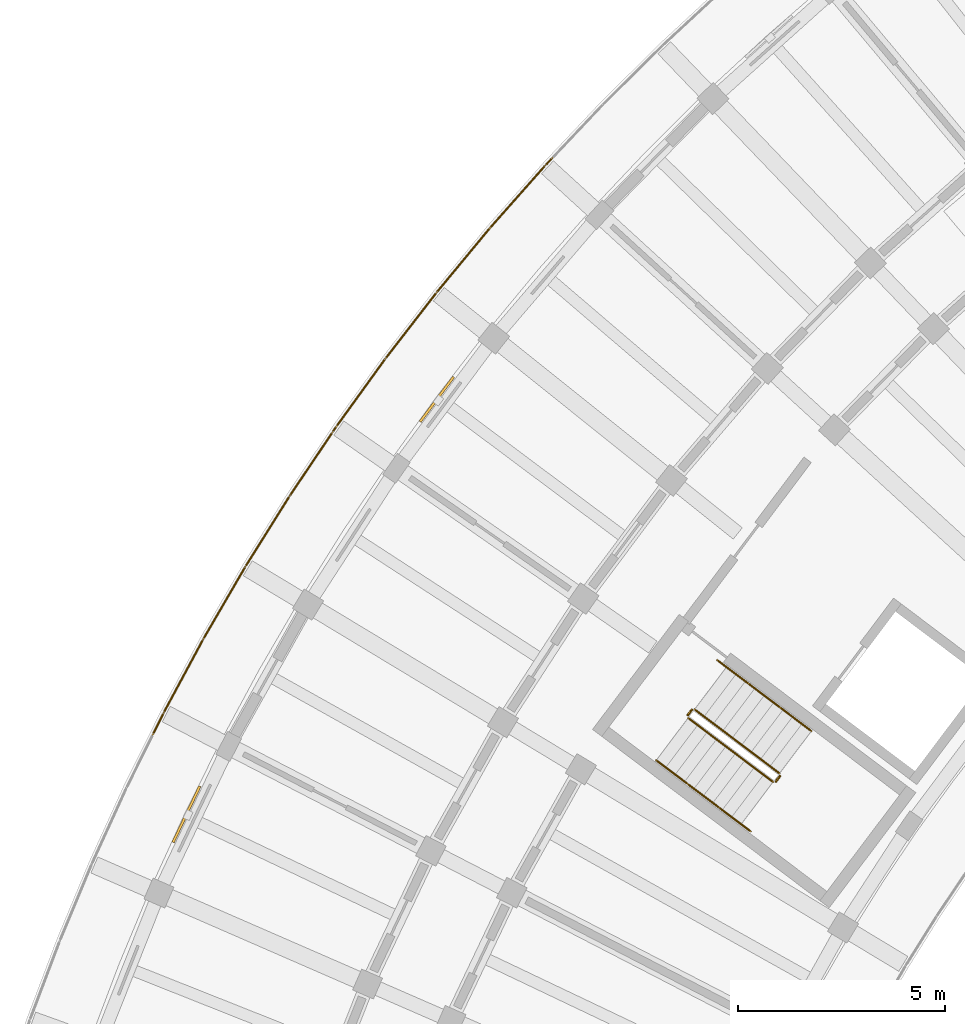
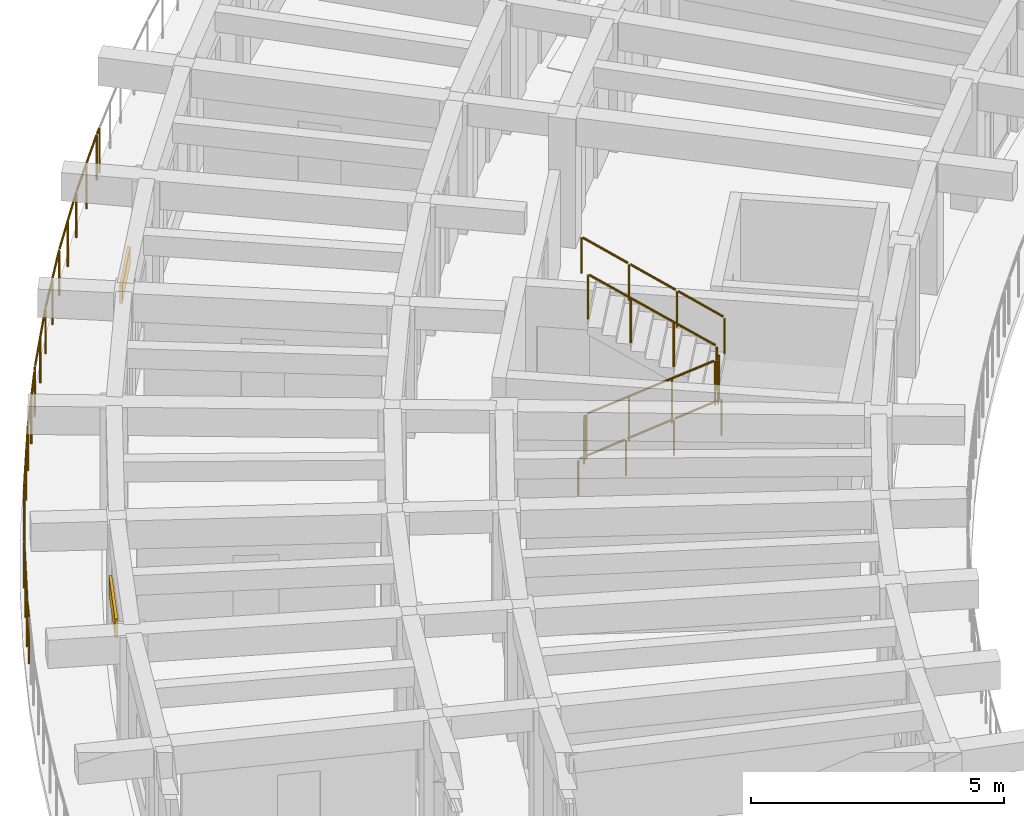
# One storey, part 57 of 69: 12 railings, 2 shading devices.
"""IFC4 building model written with IfcOpenShell, lengths in metres."""

from ifc_helpers import new_model, si_unit, direction, frame, origin, origin_2d, place, context, subcontext, project, spatial, rectangle, circle, extrude, material, layer, layer_set, type_object, element, save


model = new_model("IFC4")

# Units and contexts
model_context = context("Model", 3, precision=1e-05, world=origin(), true_north=direction((0.0, 1.0)))
body_context = subcontext(model_context, "Body", "Model", "MODEL_VIEW")
ifc_project = project(units=[si_unit("LENGTHUNIT", "METRE"), si_unit("AREAUNIT", "SQUARE_METRE"), si_unit("VOLUMEUNIT", "CUBIC_METRE"), si_unit("PLANEANGLEUNIT", "RADIAN"), si_unit("MASSUNIT", "GRAM", prefix="KILO")], contexts=[model_context])

# Site, building, storey
site_placement = place(None, origin())
site = spatial("IfcSite", under=ifc_project, at=site_placement, CompositionType="ELEMENT")
building_placement = place(site_placement, origin())
building = spatial("IfcBuilding", under=site, at=building_placement, Name="Tanwirah Colonnade Gardens", CompositionType="ELEMENT")
storey_placement = place(building_placement, frame((0.0, 0.0, 15.56005859375)))
storey = spatial("IfcBuildingStorey", under=building, at=storey_placement, Name="L04", CompositionType="ELEMENT", Elevation=15.56005859375)

# Railings
ifc_material_1 = material(Name="Precast concrete C40/50", Category="concrete")
railing_type_1 = type_object("IfcRailingType", Name="BAL-EXT112", PredefinedType="BALUSTRADE", material=ifc_material_1)
railing_1_placement = place(storey_placement, frame((10.266845703125, 87.8330078125, 0.0)))
element("IfcRailing", 1, at=railing_1_placement, inside=storey, type_object=railing_type_1, Name="Block A L04 Balcony Ribbon Balustrade 12", PredefinedType="BALUSTRADE", context=body_context, shape_type="SweptSolid", body=[
    extrude(circle(Radius=0.02392578125, at=origin_2d()), frame((0.013916015625, 0.028076171875, 1.09619140625), z_axis=(0.444368714855, 0.895843984887, 0.0), x_axis=(-0.895843984887, 0.444368714855, 0.0)), (0.0, 0.0, 1.0), 0.521484375),
    extrude(circle(Radius=0.02392578125, at=origin_2d()), frame((0.2744140625, 0.55078125, 1.09619140625), z_axis=(0.473826102441, 0.88061843306, 0.0), x_axis=(-0.88061843306, 0.473826102441, 0.0)), (0.0, 0.0, 1.0), 1.958740234375),
    extrude(circle(Radius=0.02392578125, at=origin_2d()), frame((1.23291015625, 2.330322265625, 1.09619140625), z_axis=(0.502421024862, 0.864623105045, 0.0), x_axis=(-0.864623105045, 0.502421024862, 0.0)), (0.0, 0.0, 1.0), 1.958984375),
    extrude(circle(Radius=0.02392578125, at=origin_2d()), frame((2.24951171875, 4.07763671875, 1.09619140625), z_axis=(0.530812919598, 0.847489023167, 0.0), x_axis=(-0.847489023167, 0.530812919598, 0.0)), (0.0, 0.0, 1.0), 1.958984375),
    extrude(circle(Radius=0.02392578125, at=origin_2d()), frame((3.3232421875, 5.7900390625, 1.09619140625), z_axis=(0.558315298827, 0.829628849001, 0.0), x_axis=(-0.829628849001, 0.558315298827, 0.0)), (0.0, 0.0, 1.0), 1.789306640625),
    extrude(circle(Radius=0.02099609375, at=origin_2d()), origin(), (0.0, 0.0, 1.0), 1.069091796875),
    extrude(circle(Radius=0.02099609375, at=origin_2d()), frame((0.259521484375, 0.523193359375, 0.0)), (0.0, 0.0, 1.0), 1.069091796875),
    extrude(circle(Radius=0.02099609375, at=origin_2d()), frame((0.73828125, 1.4130859375, 0.0)), (0.0, 0.0, 1.0), 1.069091796875),
    extrude(circle(Radius=0.02099609375, at=origin_2d()), frame((1.21728515625, 2.30322265625, 0.0)), (0.0, 0.0, 1.0), 1.069091796875),
    extrude(circle(Radius=0.02099609375, at=origin_2d()), frame((1.72509765625, 3.17724609375, 0.0)), (0.0, 0.0, 1.0), 1.069091796875),
    extrude(circle(Radius=0.02099609375, at=origin_2d()), frame((2.23291015625, 4.051025390625, 0.0)), (0.0, 0.0, 1.0), 1.069091796875),
    extrude(circle(Radius=0.02099609375, at=origin_2d()), frame((2.76953125, 4.90771484375, 0.0)), (0.0, 0.0, 1.0), 1.069091796875),
    extrude(circle(Radius=0.02099609375, at=origin_2d()), frame((3.305908203125, 5.76416015625, 0.0)), (0.0, 0.0, 1.0), 1.069091796875),
    extrude(circle(Radius=0.02099609375, at=origin_2d()), frame((3.82275390625, 6.5322265625, 0.0)), (0.0, 0.0, 1.0), 1.069091796875),
    extrude(circle(Radius=0.02099609375, at=origin_2d()), frame((4.33984375, 7.300537109375, 0.0)), (0.0, 0.0, 1.0), 1.069091796875),
])
railing_2_placement = place(storey_placement, frame((14.606689453125, 95.133544921875, 0.0)))
element("IfcRailing", 2, at=railing_2_placement, inside=storey, type_object=railing_type_1, Name="Block A L04 Balcony Ribbon Balustrade 13", PredefinedType="BALUSTRADE", context=body_context, shape_type="SweptSolid", body=[
    extrude(circle(Radius=0.02392578125, at=origin_2d()), frame((0.017578125, 0.02587890625, 1.09619140625), z_axis=(0.558681242275, 0.829382462758, 0.0), x_axis=(-0.829382462758, 0.558681242275, 0.0)), (0.0, 0.0, 1.0), 0.10693359375),
    extrude(circle(Radius=0.02392578125, at=origin_2d()), frame((0.113037109375, 0.166015625, 1.09619140625), z_axis=(0.585468507287, 0.810695150457, 0.0), x_axis=(-0.810695150457, 0.585468507287, 0.0)), (0.0, 0.0, 1.0), 1.958984375),
    extrude(circle(Radius=0.02392578125, at=origin_2d()), frame((1.29736328125, 1.80419921875, 1.09619140625), z_axis=(0.611856467608, 0.790968812942, 0.0), x_axis=(-0.790968812942, 0.611856467608, 0.0)), (0.0, 0.0, 1.0), 1.958984375),
    extrude(circle(Radius=0.02392578125, at=origin_2d()), frame((2.53515625, 3.402587890625, 1.09619140625), z_axis=(0.637555355491, 0.770404548717, 0.0), x_axis=(-0.770404548717, 0.637555355491, 0.0)), (0.0, 0.0, 1.0), 1.958984375),
    extrude(circle(Radius=0.02392578125, at=origin_2d()), frame((3.82470703125, 4.959228515625, 1.09619140625), z_axis=(0.662607760508, 0.748966591854, 0.0), x_axis=(-0.748966591854, 0.662607760508, 0.0)), (0.0, 0.0, 1.0), 1.958740234375),
    extrude(circle(Radius=0.02392578125, at=origin_2d()), frame((5.164794921875, 6.472412109375, 1.09619140625), z_axis=(0.686858017599, 0.726791623273, 0.0), x_axis=(-0.726791623273, 0.686858017599, 0.0)), (0.0, 0.0, 1.0), 0.18212890625),
    extrude(circle(Radius=0.02099609375, at=origin_2d()), origin(), (0.0, 0.0, 1.0), 1.069091796875),
    extrude(circle(Radius=0.02099609375, at=origin_2d()), frame((0.0947265625, 0.140625, 0.0)), (0.0, 0.0, 1.0), 1.069091796875),
    extrude(circle(Radius=0.02099609375, at=origin_2d()), frame((0.6865234375, 0.9599609375, 0.0)), (0.0, 0.0, 1.0), 1.069091796875),
    extrude(circle(Radius=0.02099609375, at=origin_2d()), frame((1.2783203125, 1.779541015625, 0.0)), (0.0, 0.0, 1.0), 1.069091796875),
    extrude(circle(Radius=0.02099609375, at=origin_2d()), frame((1.896728515625, 2.5791015625, 0.0)), (0.0, 0.0, 1.0), 1.069091796875),
    extrude(circle(Radius=0.02099609375, at=origin_2d()), frame((2.51513671875, 3.37841796875, 0.0)), (0.0, 0.0, 1.0), 1.069091796875),
    extrude(circle(Radius=0.02099609375, at=origin_2d()), frame((3.15966796875, 4.1572265625, 0.0)), (0.0, 0.0, 1.0), 1.069091796875),
    extrude(circle(Radius=0.02099609375, at=origin_2d()), frame((3.803955078125, 4.935791015625, 0.0)), (0.0, 0.0, 1.0), 1.069091796875),
    extrude(circle(Radius=0.02099609375, at=origin_2d()), frame((4.4736328125, 5.69287109375, 0.0)), (0.0, 0.0, 1.0), 1.069091796875),
    extrude(circle(Radius=0.02099609375, at=origin_2d()), frame((5.143310546875, 6.44970703125, 0.0)), (0.0, 0.0, 1.0), 1.069091796875),
    extrude(circle(Radius=0.02099609375, at=origin_2d()), frame((5.311279296875, 6.62744140625, 0.0)), (0.0, 0.0, 1.0), 1.069091796875),
])
ifc_material_2 = material(Name="Powder-coated galvanized steel", Category="steel")
railing_type_2 = type_object("IfcRailingType", Name="GRD-ST110", PredefinedType="GUARDRAIL", material=ifc_material_2)
railing_3_placement = place(storey_placement, frame((23.201416015625, 88.22900390625, 0.16796875)))
element("IfcRailing", 3, at=railing_3_placement, inside=storey, type_object=railing_type_2, Name="L04 ST-A2 stair guard 1", PredefinedType="GUARDRAIL", context=body_context, shape_type="SweptSolid", body=[
    extrude(circle(Radius=0.02392578125, at=origin_2d()), frame((0.021484375, -0.01611328125, 1.092041015625), z_axis=(0.688012363654, -0.518448596756, 0.507789365762), x_axis=(0.601810650199, 0.798638805285, 0.0)), (0.0, 0.0, 1.0), 2.9150390625),
    extrude(circle(Radius=0.02099609375, at=origin_2d()), origin(), (0.0, 0.0, 1.0), 1.049072265625),
    extrude(circle(Radius=0.02099609375, at=origin_2d()), frame((0.682861328125, -0.5146484375, 0.50390625)), (0.0, 0.0, 1.0), 1.049072265625),
    extrude(circle(Radius=0.02099609375, at=origin_2d()), frame((1.36572265625, -1.029052734375, 1.008056640625)), (0.0, 0.0, 1.0), 1.049072265625),
    extrude(circle(Radius=0.02099609375, at=origin_2d()), frame((2.048583984375, -1.543701171875, 1.511962890625)), (0.0, 0.0, 1.0), 1.049072265625),
])
railing_4_placement = place(storey_placement, frame((25.320068359375, 86.695068359375, 1.679931640625)))
element("IfcRailing", 4, at=railing_4_placement, inside=storey, type_object=railing_type_2, Name="L04 ST-A2 stair guard 2", PredefinedType="GUARDRAIL", context=body_context, shape_type="SweptSolid", body=[
    extrude(circle(Radius=0.02392578125, at=origin_2d()), frame((0.018798828125, 0.02490234375, 1.076171875), z_axis=(0.600975757569, 0.799267251183, 0.0), x_axis=(-0.799267251183, 0.600975757569, 0.0)), (0.0, 0.0, 1.0), 0.09765625),
    extrude(circle(Radius=0.02099609375, at=origin_2d()), origin(), (0.0, 0.0, 1.0), 1.049072265625),
    extrude(circle(Radius=0.02099609375, at=origin_2d()), frame((0.09619140625, 0.1279296875, 0.0)), (0.0, 0.0, 1.0), 1.049072265625),
])
railing_5_placement = place(storey_placement, frame((25.406494140625, 86.89306640625, 1.847900390625)))
element("IfcRailing", 5, at=railing_5_placement, inside=storey, type_object=railing_type_2, Name="L04 ST-A2 stair guard 3", PredefinedType="GUARDRAIL", context=body_context, shape_type="SweptSolid", body=[
    extrude(circle(Radius=0.02392578125, at=origin_2d()), frame((-0.021484375, 0.01611328125, 1.092041015625), z_axis=(-0.688041610417, 0.518388637952, 0.507810951414), x_axis=(-0.60174993816, -0.798684550949, 0.0)), (0.0, 0.0, 1.0), 2.914794921875),
    extrude(circle(Radius=0.02099609375, at=origin_2d()), origin(), (0.0, 0.0, 1.0), 1.049072265625),
    extrude(circle(Radius=0.02099609375, at=origin_2d()), frame((-0.682861328125, 0.514404296875, 0.50390625)), (0.0, 0.0, 1.0), 1.049072265625),
    extrude(circle(Radius=0.02099609375, at=origin_2d()), frame((-1.36572265625, 1.029052734375, 1.008056640625)), (0.0, 0.0, 1.0), 1.049072265625),
    extrude(circle(Radius=0.02099609375, at=origin_2d()), frame((-2.048583984375, 1.54345703125, 1.511962890625)), (0.0, 0.0, 1.0), 1.049072265625),
])
railing_6_placement = place(storey_placement, frame((23.191650390625, 88.299072265625, 0.0)))
element("IfcRailing", 6, at=railing_6_placement, inside=storey, type_object=railing_type_2, Name="L04 ST-A2 stair guard 4", PredefinedType="GUARDRAIL", context=body_context, shape_type="SweptSolid", body=[
    extrude(circle(Radius=0.02392578125, at=origin_2d()), frame((0.018798828125, 0.02490234375, 1.076171875), z_axis=(0.602681987584, 0.797981467104, 0.0), x_axis=(-0.797981467104, 0.602681987584, 0.0)), (0.0, 0.0, 1.0), 0.097412109375),
    extrude(circle(Radius=0.02099609375, at=origin_2d()), origin(), (0.0, 0.0, 1.0), 1.049072265625),
    extrude(circle(Radius=0.02099609375, at=origin_2d()), frame((0.096435546875, 0.127685546875, 0.0)), (0.0, 0.0, 1.0), 1.049072265625),
])
ifc_material_3 = material(Name="Brushed bronze stainless steel", Category="steel")
railing_type_3 = type_object("IfcRailingType", Name="HR-ST090", PredefinedType="HANDRAIL", material=ifc_material_3)
railing_7_placement = place(storey_placement, frame((22.43115234375, 87.206787109375, 0.16796875)))
element("IfcRailing", 7, at=railing_7_placement, inside=storey, type_object=railing_type_3, Name="L04 ST-A2 stair handrail 1", PredefinedType="HANDRAIL", context=body_context, shape_type="SweptSolid", body=[
    extrude(circle(Radius=0.02392578125, at=origin_2d()), frame((0.021484375, -0.01611328125, 0.891845703125), z_axis=(0.686145346169, -0.517037451972, 0.51173903231), x_axis=(0.601807485929, 0.798641189696, 0.0)), (0.0, 0.0, 1.0), 1.04345703125),
    extrude(circle(Radius=0.02099609375, at=origin_2d()), origin(), (0.0, 0.0, 1.0), 0.848876953125),
    extrude(circle(Radius=0.02099609375, at=origin_2d()), frame((0.7587890625, -0.57177734375, 0.56591796875)), (0.0, 0.0, 1.0), 0.848876953125),
])
railing_8_placement = place(storey_placement, frame((23.18994140625, 86.635009765625, 0.73388671875)))
element("IfcRailing", 8, at=railing_8_placement, inside=storey, type_object=railing_type_3, Name="L04 ST-A2 stair handrail 2", PredefinedType="HANDRAIL", context=body_context, shape_type="SweptSolid", body=[
    extrude(circle(Radius=0.02392578125, at=origin_2d()), frame((0.021484375, -0.01611328125, 0.891845703125), z_axis=(0.686067825084, -0.516979036791, 0.511901958292), x_axis=(0.601807485929, 0.798641189696, 0.0)), (0.0, 0.0, 1.0), 1.04345703125),
    extrude(circle(Radius=0.02099609375, at=origin_2d()), origin(), (0.0, 0.0, 1.0), 0.848876953125),
    extrude(circle(Radius=0.02099609375, at=origin_2d()), frame((0.7587890625, -0.57177734375, 0.566162109375)), (0.0, 0.0, 1.0), 0.848876953125),
])
railing_9_placement = place(storey_placement, frame((23.94873046875, 86.063232421875, 1.300048828125)))
element("IfcRailing", 9, at=railing_9_placement, inside=storey, type_object=railing_type_3, Name="L04 ST-A2 stair handrail 3", PredefinedType="HANDRAIL", context=body_context, shape_type="SweptSolid", body=[
    extrude(circle(Radius=0.02392578125, at=origin_2d()), frame((0.021484375, -0.01611328125, 0.891845703125), z_axis=(0.686028488458, -0.517115777267, 0.511816554955), x_axis=(0.601931007785, 0.798548096152, 0.0)), (0.0, 0.0, 1.0), 1.043212890625),
    extrude(circle(Radius=0.02099609375, at=origin_2d()), origin(), (0.0, 0.0, 1.0), 0.848876953125),
    extrude(circle(Radius=0.02099609375, at=origin_2d()), frame((0.758544921875, -0.57177734375, 0.56591796875)), (0.0, 0.0, 1.0), 0.848876953125),
])
railing_10_placement = place(storey_placement, frame((26.1767578125, 87.915283203125, 1.847900390625)))
element("IfcRailing", 10, at=railing_10_placement, inside=storey, type_object=railing_type_3, Name="L04 ST-A2 stair handrail 4", PredefinedType="HANDRAIL", context=body_context, shape_type="SweptSolid", body=[
    extrude(circle(Radius=0.02392578125, at=origin_2d()), frame((-0.021484375, 0.01611328125, 0.891845703125), z_axis=(-0.685950957095, 0.517057335538, 0.511979488092), x_axis=(-0.601931007785, -0.798548096152, 0.0)), (0.0, 0.0, 1.0), 1.043212890625),
    extrude(circle(Radius=0.02099609375, at=origin_2d()), origin(), (0.0, 0.0, 1.0), 0.848876953125),
    extrude(circle(Radius=0.02099609375, at=origin_2d()), frame((-0.758544921875, 0.57177734375, 0.566162109375)), (0.0, 0.0, 1.0), 0.848876953125),
])
railing_11_placement = place(storey_placement, frame((25.418212890625, 88.487060546875, 2.4140625)))
element("IfcRailing", 11, at=railing_11_placement, inside=storey, type_object=railing_type_3, Name="L04 ST-A2 stair handrail 5", PredefinedType="HANDRAIL", context=body_context, shape_type="SweptSolid", body=[
    extrude(circle(Radius=0.02392578125, at=origin_2d()), frame((-0.021484375, 0.01611328125, 0.891845703125), z_axis=(-0.686223662955, 0.51687567406, 0.51179744232), x_axis=(-0.601643549736, -0.798764695677, 0.0)), (0.0, 0.0, 1.0), 1.043212890625),
    extrude(circle(Radius=0.02099609375, at=origin_2d()), origin(), (0.0, 0.0, 1.0), 0.848876953125),
    extrude(circle(Radius=0.02099609375, at=origin_2d()), frame((-0.7587890625, 0.571533203125, 0.56591796875)), (0.0, 0.0, 1.0), 0.848876953125),
])
railing_12_placement = place(storey_placement, frame((24.659423828125, 89.05859375, 2.97998046875)))
element("IfcRailing", 12, at=railing_12_placement, inside=storey, type_object=railing_type_3, Name="L04 ST-A2 stair handrail 6", PredefinedType="HANDRAIL", context=body_context, shape_type="SweptSolid", body=[
    extrude(circle(Radius=0.02392578125, at=origin_2d()), frame((-0.021484375, 0.01611328125, 0.891845703125), z_axis=(-0.686145346169, 0.517037451972, 0.51173903231), x_axis=(-0.601807485929, -0.798641189696, 0.0)), (0.0, 0.0, 1.0), 1.04345703125),
    extrude(circle(Radius=0.02099609375, at=origin_2d()), origin(), (0.0, 0.0, 1.0), 0.848876953125),
    extrude(circle(Radius=0.02099609375, at=origin_2d()), frame((-0.7587890625, 0.57177734375, 0.56591796875)), (0.0, 0.0, 1.0), 0.848876953125),
])

# Shading devices
ifc_material_4 = material(Name="Perforated architectural bronze aluminium", Category="aluminium")
ifc_layer = layer(ifc_material_4, 0.050048828125)
ifc_layer_set = layer_set([ifc_layer], Name="Perforated architectural bronze aluminium")
shading_device_type = type_object("IfcShadingDeviceType", Name="SHD-OVH1", PredefinedType="SHUTTER", material=ifc_layer_set)
shading_device_1_placement = place(storey_placement, frame((17.12890625, 95.93017578125, 1.8349609375), z_axis=(0.0, 0.0, 1.0), x_axis=(-0.598713571255, -0.800963207392, 0.0)))
element("IfcShadingDevice", 13, at=shading_device_1_placement, inside=storey, type_object=shading_device_type, Name="Solar shading louver hood A-L04-12", PredefinedType="SHUTTER", context=body_context, shape_type="SweptSolid", body=[
    extrude(rectangle(XDim=1.35009765625, YDim=0.06005859375, at=origin_2d()), origin(), (0.0, 0.0, 1.0), 0.449951171875),
])
shading_device_2_placement = place(storey_placement, frame((11.077392578125, 85.90283203125, 2.03515625), z_axis=(0.0, 0.0, 1.0), x_axis=(-0.429636092721, -0.903002119506, 0.0)))
element("IfcShadingDevice", 14, at=shading_device_2_placement, inside=storey, type_object=shading_device_type, Name="Solar shading louver hood A-L04-15", PredefinedType="SHUTTER", context=body_context, shape_type="SweptSolid", body=[
    extrude(rectangle(XDim=1.5, YDim=0.06005859375, at=origin_2d()), origin(), (0.0, 0.0, 1.0), 0.449951171875),
])

save(model, "model.ifc")
